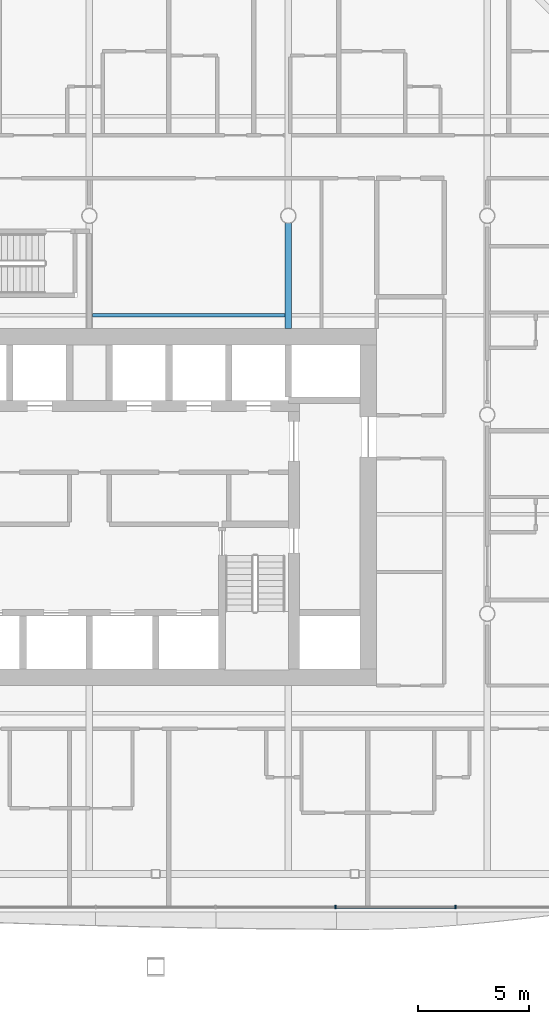
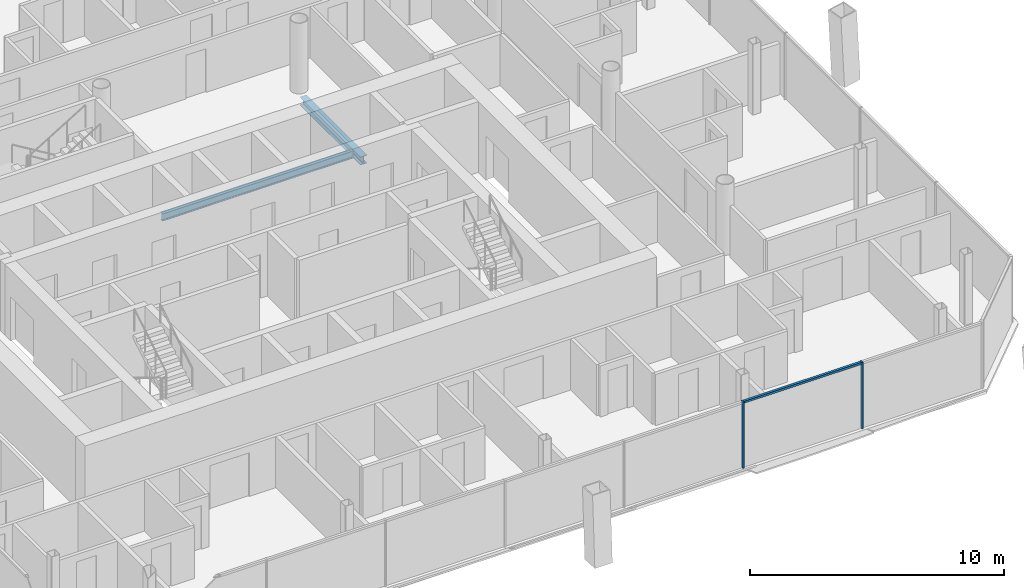
# One storey, part 7 of 21: 3 members, 2 beams, 1 element without a shape of its own.
"""IFC4 building model written with IfcOpenShell, lengths in metres."""

from ifc_helpers import new_model, si_unit, direction, frame, origin, origin_2d, place, context, subcontext, project, spatial, rectangle, i_section, extrude, material, material_profile, profile_set, type_object, element, aggregate, save


model = new_model("IFC4")

# Units and contexts
model_context = context("Model", 3, precision=1e-05, world=origin(), true_north=direction((0.0, 1.0)))
body_context = subcontext(model_context, "Body", "Model", "MODEL_VIEW")
ifc_project = project(units=[si_unit("LENGTHUNIT", "METRE"), si_unit("AREAUNIT", "SQUARE_METRE"), si_unit("VOLUMEUNIT", "CUBIC_METRE"), si_unit("PLANEANGLEUNIT", "RADIAN"), si_unit("MASSUNIT", "GRAM", prefix="KILO")], contexts=[model_context])

# Site, building, storey
site_placement = place(None, origin())
site = spatial("IfcSite", under=ifc_project, at=site_placement, CompositionType="ELEMENT")
building_placement = place(site_placement, origin())
building = spatial("IfcBuilding", under=site, at=building_placement, Name="Tskaro Facet Tower", CompositionType="ELEMENT")
storey_placement = place(building_placement, frame((0.0, 0.0, 148.699951171875)))
storey = spatial("IfcBuildingStorey", under=building, at=storey_placement, Name="L36", CompositionType="ELEMENT", Elevation=148.699951171875)

# Curtain wall, members
ifc_material_1 = material(Name="Bronze anodised aluminium 6063-T6", Category="aluminium")
curtain_wall_type = type_object("IfcCurtainWallType", Name="Bronze hotel curtain wall (FW2)", PredefinedType="NOTDEFINED", material=ifc_material_1)
curtain_wall_placement = place(storey_placement, origin())
curtain_wall = element("IfcCurtainWall", 1, at=curtain_wall_placement, inside=storey, type_object=curtain_wall_type, Name="FW2 south facet L36", PredefinedType="NOTDEFINED")
ifc_material_profile_1 = material_profile(ifc_material_1, rectangle(XDim=0.06005859375, YDim=0.14990234375, at=origin_2d()), Name="Mullion 60x150")
ifc_profile_set_1 = profile_set([ifc_material_profile_1], Name="Bronze anodised aluminium 6063-T6")
member_type_1 = type_object("IfcMemberType", Name="FW2 bronze mullion 60x150", PredefinedType="MULLION", material=ifc_profile_set_1)
member_1_placement = place(storey_placement, frame((11.135498046875, -22.27197265625, 0.0), z_axis=(0.0, 0.0, 1.0), x_axis=(1.0, 0.0, 0.0)))
member_1 = element("IfcMember", 2, at=member_1_placement, type_object=member_type_1, Name="FW2 south mullion 5", PredefinedType="MULLION", context=body_context, shape_type="SweptSolid", body=[
    extrude(rectangle(XDim=0.06005859375, YDim=0.14990234375, at=origin_2d()), origin(), (0.0, 0.0, 1.0), 3.199951171875),
])
member_2_placement = place(storey_placement, frame((16.559326171875, -22.27197265625, 0.0), z_axis=(0.0, 0.0, 1.0), x_axis=(1.0, 0.0, 0.0)))
member_2 = element("IfcMember", 3, at=member_2_placement, type_object=member_type_1, Name="FW2 south mullion 6", PredefinedType="MULLION", context=body_context, shape_type="SweptSolid", body=[
    extrude(rectangle(XDim=0.06005859375, YDim=0.14990234375, at=origin_2d()), origin(), (0.0, 0.0, 1.0), 3.199951171875),
])
ifc_material_profile_2 = material_profile(ifc_material_1, rectangle(XDim=0.110107421875, YDim=0.10009765625, at=origin_2d()), Name="Transom 110x100")
ifc_profile_set_2 = profile_set([ifc_material_profile_2], Name="Bronze anodised aluminium 6063-T6")
member_type_2 = type_object("IfcMemberType", Name="FW2 bronze transom 110x100", PredefinedType="USERDEFINED", material=ifc_profile_set_2)
member_3_placement = place(storey_placement, frame((11.16552734375, -22.27197265625, 3.150146484375), z_axis=(1.0, 0.0, 0.0), x_axis=(0.0, 1.0, 0.0)))
member_3 = element("IfcMember", 4, at=member_3_placement, type_object=member_type_2, Name="FW2 south transom 6.1", ObjectType="TRANSOM", PredefinedType="USERDEFINED", context=body_context, shape_type="SweptSolid", body=[
    extrude(rectangle(XDim=0.110107421875, YDim=0.10009765625, at=origin_2d()), origin(), (0.0, 0.0, 1.0), 5.36376953125),
])
aggregate(curtain_wall, [member_1, member_2, member_3])

# Beams
ifc_material_2 = material(Name="Steel S355J2", Category="steel")
ifc_material_profile_3 = material_profile(ifc_material_2, i_section(OverallWidth=0.300048828125, OverallDepth=0.389892578125, WebThickness=0.010986328125, FlangeThickness=0.01904296875, FilletRadius=0.027099609375, at=origin_2d()), Name="HE 400 A")
ifc_profile_set_3 = profile_set([ifc_material_profile_3], Name="Steel S355J2")
beam_type_1 = type_object("IfcBeamType", Name="HE 400 A girder", PredefinedType="BEAM", material=ifc_profile_set_3)
beam_1_placement = place(storey_placement, frame((9.0, 3.89990234375, -0.3349609375), z_axis=(0.0, 1.0, 0.0), x_axis=(-1.0, 0.0, 0.0)))
element("IfcBeam", 5, at=beam_1_placement, inside=storey, type_object=beam_type_1, Name="HE 400 A GB5-2-3", PredefinedType="BEAM", context=body_context, shape_type="SweptSolid", body=[
    extrude(i_section(OverallWidth=0.300048828125, OverallDepth=0.389892578125, WebThickness=0.010986328125, FlangeThickness=0.01904296875, FilletRadius=0.027099609375, at=origin_2d()), origin(), (0.0, 0.0, 1.0), 4.774658203125),
])
ifc_material_profile_4 = material_profile(ifc_material_2, i_section(OverallWidth=0.169921875, OverallDepth=0.360107421875, WebThickness=0.008056640625, FlangeThickness=0.0126953125, FilletRadius=0.01806640625, at=origin_2d()), Name="IPE 360")
ifc_profile_set_4 = profile_set([ifc_material_profile_4], Name="Steel S355J2")
beam_type_2 = type_object("IfcBeamType", Name="IPE 360 secondary beam", PredefinedType="BEAM", material=ifc_profile_set_4)
beam_2_placement = place(storey_placement, frame((0.14990234375, 4.5, -0.320068359375), z_axis=(1.0, 0.0, 0.0), x_axis=(0.0, 1.0, 0.0)))
element("IfcBeam", 6, at=beam_2_placement, inside=storey, type_object=beam_type_2, Name="IPE 360 SB4a-3-3", PredefinedType="BEAM", context=body_context, shape_type="SweptSolid", body=[
    extrude(i_section(OverallWidth=0.169921875, OverallDepth=0.360107421875, WebThickness=0.008056640625, FlangeThickness=0.0126953125, FilletRadius=0.01806640625, at=origin_2d()), origin(), (0.0, 0.0, 1.0), 8.7001953125),
])

save(model, "model.ifc")
